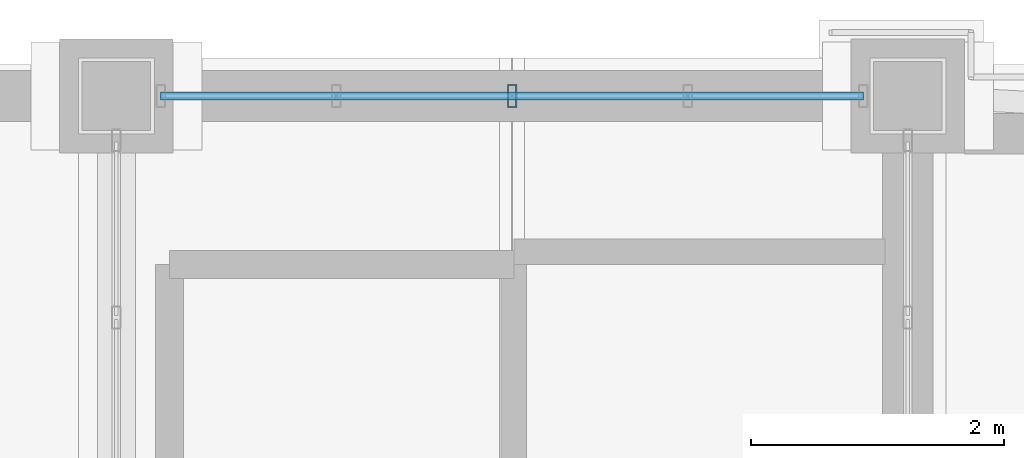
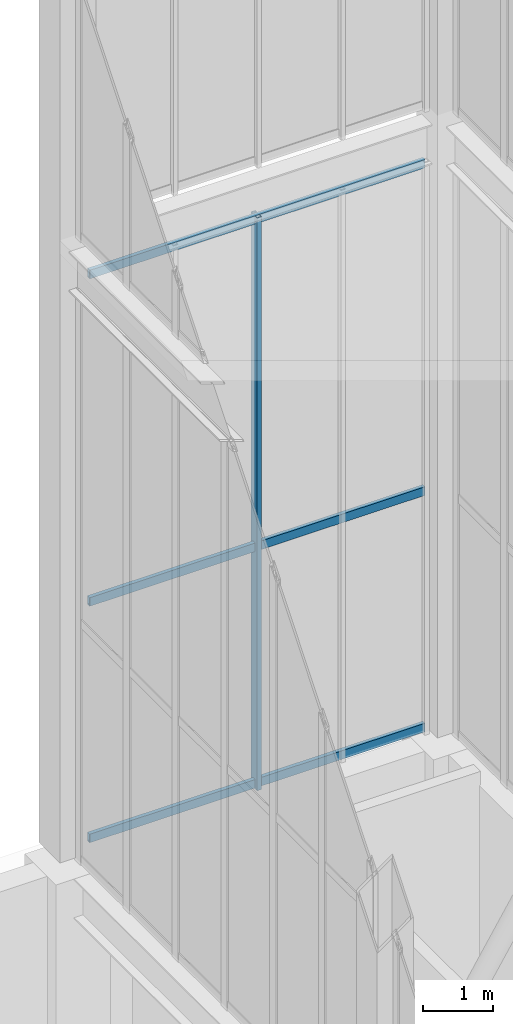
# One storey, part 111 of 135: 4 members, 1 element without a shape of its own.
"""IFC4 building model written with IfcOpenShell, lengths in metres."""

import ifcopenshell
import ifcopenshell.guid

model = None  # the IFC model being written
_history = None  # IfcOwnerHistory: only IFC2X3 demands one
_inside = {}  # id of a spatial element -> (the spatial element, [elements in it])
_under = {}  # id of a project, library or spatial element -> (it, [spatial elements below it])
_declared = {}  # id of a project -> (the project, [libraries it declares])
_typed = {}  # id of a type object -> (the type object, [elements of that type])
_made_of = {}  # id of a material, layer set ... -> (it, [elements and type objects made of it])


def new_model(schema):
    """Start an empty IFC model of exactly this schema.

    Asked for "IFC4X3", IfcOpenShell would pick the latest addendum, in which some entities
    have other attributes; the version numbers below select the first issue.
    IFC2X3 requires an IfcOwnerHistory on every rooted entity: one is made here for all.
    """
    global model, _history
    if schema == "IFC4X3":
        model = ifcopenshell.file(schema_version=(4, 3, 0, 0))
    else:
        model = ifcopenshell.file(schema=schema)
    _inside.clear()
    _under.clear()
    _declared.clear()
    _typed.clear()
    _made_of.clear()
    _history = None
    if model.schema == "IFC2X3":
        org = make("IfcOrganization", Name="unknown")
        user = make(
            "IfcPersonAndOrganization",
            ThePerson=make("IfcPerson", FamilyName="unknown"),
            TheOrganization=org,
        )
        app = make(
            "IfcApplication",
            ApplicationDeveloper=org,
            Version="unknown",
            ApplicationFullName="unknown",
            ApplicationIdentifier="unknown",
        )
        _history = make(
            "IfcOwnerHistory",
            OwningUser=user,
            OwningApplication=app,
            ChangeAction="ADDED",
            CreationDate=0,
        )
    return model


def make(cls, **values):
    """One entity of the class cls with the attributes given. An attribute that is None is left unset."""
    return model.create_entity(
        cls, **{name: value for name, value in values.items() if value is not None}
    )


def rooted(cls, **values):
    """An entity with a GlobalId (a new one), such as an element, a storey or a relation."""
    return make(cls, GlobalId=ifcopenshell.guid.new(), OwnerHistory=_history, **values)


def si_unit(unit_type, name, prefix=None):
    """IfcSIUnit, for example si_unit("LENGTHUNIT", "METRE", prefix="MILLI")."""
    return make("IfcSIUnit", UnitType=unit_type, Prefix=prefix, Name=name)


def assignment(units):
    """IfcUnitAssignment: the units of a project."""
    return None if units is None else make("IfcUnitAssignment", Units=units)


def point(xyz):
    """IfcCartesianPoint."""
    return None if xyz is None else make("IfcCartesianPoint", Coordinates=xyz)


def direction(xyz):
    """IfcDirection."""
    return None if xyz is None else make("IfcDirection", DirectionRatios=xyz)


def frame(location, z_axis=None, x_axis=None):
    """IfcAxis2Placement3D, a coordinate frame: its origin and axes. An axis left out is left unset."""
    return make(
        "IfcAxis2Placement3D",
        Location=point(location),
        Axis=direction(z_axis),
        RefDirection=direction(x_axis),
    )


def frame_2d(location, x_axis=None):
    """IfcAxis2Placement2D, a coordinate frame in the plane: its origin and x axis."""
    return make(
        "IfcAxis2Placement2D", Location=point(location), RefDirection=direction(x_axis)
    )


def origin():
    """The frame at (0, 0, 0) with its axes left unset."""
    return frame((0.0, 0.0, 0.0))


def origin_2d():
    """The frame at (0, 0) in the plane with its x axis left unset."""
    return frame_2d((0.0, 0.0))


def place(relative_to, where):
    """IfcLocalPlacement: puts the frame where relative to a parent placement (None: the world)."""
    return make(
        "IfcLocalPlacement", PlacementRelTo=relative_to, RelativePlacement=where
    )


def context(
    kind, dimensions, precision=None, world=None, true_north=None, identifier=None
):
    """IfcGeometricRepresentationContext, for example the 3D "Model" context."""
    return make(
        "IfcGeometricRepresentationContext",
        ContextIdentifier=identifier,
        ContextType=kind,
        CoordinateSpaceDimension=dimensions,
        Precision=precision,
        WorldCoordinateSystem=world,
        TrueNorth=true_north,
    )


def subcontext(parent, identifier, kind, view, scale=None):
    """IfcGeometricRepresentationSubContext, for example "Body" below "Model"."""
    return make(
        "IfcGeometricRepresentationSubContext",
        ContextIdentifier=identifier,
        ContextType=kind,
        ParentContext=parent,
        TargetScale=scale,
        TargetView=view,
    )


def project(units=None, contexts=None):
    """IfcProject with its units and contexts."""
    return rooted(
        "IfcProject",
        Name="project",
        RepresentationContexts=contexts,
        UnitsInContext=assignment(units),
    )


def spatial(cls, under=None, at=None, **own):
    """A site, building, storey or space (cls), placed at a placement, below another one or the project."""
    s = rooted(cls, ObjectPlacement=at, **own)
    if under is not None:
        _under.setdefault(under.id(), (under, []))[1].append(s)
    return s


def profile(cls, at=None, kind="AREA", **sizes):
    """A parametric profile (cls). Its sizes go by their IFC names, for example OverallWidth=200.0."""
    return make(cls, ProfileType=kind, Position=at, **sizes)


def hollow_rectangle(**sizes):
    """IfcRectangleHollowProfileDef."""
    return profile("IfcRectangleHollowProfileDef", **sizes)


def extrude(swept, where, along, depth):
    """IfcExtrudedAreaSolid: the profile swept, set in the frame where, extruded along a direction by depth."""
    return make(
        "IfcExtrudedAreaSolid",
        SweptArea=swept,
        Position=where,
        ExtrudedDirection=direction(along),
        Depth=depth,
    )


def shape(context_of_items, identifier, shape_type, items):
    """IfcShapeRepresentation: the items that make up one representation, for example the "Body"."""
    return make(
        "IfcShapeRepresentation",
        ContextOfItems=context_of_items,
        RepresentationIdentifier=identifier,
        RepresentationType=shape_type,
        Items=items,
    )


def source(mapping_origin, context_of_items, identifier, shape_type, items):
    """IfcRepresentationMap: a shape defined once, which mapped items show again and again."""
    return make(
        "IfcRepresentationMap",
        MappingOrigin=mapping_origin,
        MappedRepresentation=shape(context_of_items, identifier, shape_type, items),
    )


def transform(
    local_origin,
    x_axis=None,
    y_axis=None,
    z_axis=None,
    scale=None,
    scale2=None,
    scale3=None,
    uniform=True,
):
    """IfcCartesianTransformationOperator3D, or its non-uniform kind. x_axis, y_axis, z_axis: its Axis1, 2, 3."""
    if uniform:
        return make(
            "IfcCartesianTransformationOperator3D",
            Axis1=direction(x_axis),
            Axis2=direction(y_axis),
            LocalOrigin=point(local_origin),
            Scale=scale,
            Axis3=direction(z_axis),
        )
    return make(
        "IfcCartesianTransformationOperator3DnonUniform",
        Axis1=direction(x_axis),
        Axis2=direction(y_axis),
        LocalOrigin=point(local_origin),
        Scale=scale,
        Axis3=direction(z_axis),
        Scale2=scale2,
        Scale3=scale3,
    )


def mapped(mapping_source, mapping_target):
    """IfcMappedItem: shows the shape of a source again, moved by a transform."""
    return make(
        "IfcMappedItem", MappingSource=mapping_source, MappingTarget=mapping_target
    )


def material(Name=None, Category=None):
    """IfcMaterial."""
    return make("IfcMaterial", Name=Name, Category=Category)


def layer(
    of_material, thickness, ventilated=None, Name=None, Category=None, Priority=None
):
    """IfcMaterialLayer: one layer of a wall or slab, of a material (None: an air gap)."""
    return make(
        "IfcMaterialLayer",
        Material=of_material,
        LayerThickness=thickness,
        IsVentilated=ventilated,
        Name=Name,
        Category=Category,
        Priority=Priority,
    )


def layer_set(layers, Name=None):
    """IfcMaterialLayerSet."""
    return make("IfcMaterialLayerSet", MaterialLayers=layers, LayerSetName=Name)


def material_profile(
    of_material, cross_section, Name=None, Category=None, Priority=None
):
    """IfcMaterialProfile: a cross section and its material."""
    return make(
        "IfcMaterialProfile",
        Name=Name,
        Material=of_material,
        Profile=cross_section,
        Priority=Priority,
        Category=Category,
    )


def profile_set(profiles, Name=None, composite=None):
    """IfcMaterialProfileSet."""
    return make(
        "IfcMaterialProfileSet",
        Name=Name,
        MaterialProfiles=profiles,
        CompositeProfile=composite,
    )


def made_of(thing, what):
    """Note that an element or type object is made of a material, layer set ...; save() writes the relation."""
    if what is not None:
        _made_of.setdefault(what.id(), (what, []))[1].append(thing)
    return thing


def type_object(cls, material=None, **own):
    """A type object (cls), such as IfcWallType, which elements share."""
    return made_of(rooted(cls, **own), material)


def element(
    cls,
    number,
    at=None,
    inside=None,
    cuts=None,
    type_object=None,
    material=None,
    context=None,
    identifier="Body",
    shape_type=None,
    held_by="IfcProductDefinitionShape",
    body=None,
    shapes=None,
    **own,
):
    """One element of the class cls, such as IfcWall. Its Tag is "e" and its number.

    at: its placement. inside: the storey or other place that contains it. cuts: it is an
    opening in that element (IfcRelVoidsElement). A single representation is given by context,
    identifier, shape_type and body (its items); several are given by shapes. held_by: the class
    of the entity that holds the representations. save() writes the other relations.
    """
    e = rooted(cls, Tag="e%d" % number, ObjectPlacement=at, **own)
    if body is not None:
        shapes = [shape(context, identifier, shape_type, body)]
    if shapes is not None:
        e.Representation = make(held_by, Representations=shapes)
    if inside is not None:
        _inside.setdefault(inside.id(), (inside, []))[1].append(e)
    if cuts is not None:
        rooted(
            "IfcRelVoidsElement", RelatingBuildingElement=cuts, RelatedOpeningElement=e
        )
    if type_object is not None:
        _typed.setdefault(type_object.id(), (type_object, []))[1].append(e)
    return made_of(e, material)


def aggregate(whole, parts):
    """IfcRelAggregates: a whole, such as a stair, and the parts it consists of."""
    return rooted("IfcRelAggregates", RelatingObject=whole, RelatedObjects=parts)


def save(model, path):
    """Write the relations noted so far, then the file.

    IfcRelAggregates (storeys below a building ...), IfcRelContainedInSpatialStructure (elements
    in a storey), IfcRelDefinesByType, IfcRelAssociatesMaterial and IfcRelDeclares: one each for
    every whole, place, type object, material and project.
    """
    for whole, parts in _under.values():
        aggregate(whole, parts)
    for where, things in _inside.values():
        rooted(
            "IfcRelContainedInSpatialStructure",
            RelatedElements=things,
            RelatingStructure=where,
        )
    for kind, things in _typed.values():
        rooted("IfcRelDefinesByType", RelatedObjects=things, RelatingType=kind)
    for what, things in _made_of.values():
        rooted("IfcRelAssociatesMaterial", RelatedObjects=things, RelatingMaterial=what)
    for by, libraries in _declared.values():
        rooted("IfcRelDeclares", RelatingContext=by, RelatedDefinitions=libraries)
    model.write(path)


model = new_model("IFC4")

# Units and contexts
model_context = context("Model", 3, precision=1e-05, world=origin(), true_north=direction((0.0, 1.0)))
body_context = subcontext(model_context, "Body", "Model", "MODEL_VIEW")
ifc_project = project(units=[si_unit("LENGTHUNIT", "METRE"), si_unit("AREAUNIT", "SQUARE_METRE"), si_unit("VOLUMEUNIT", "CUBIC_METRE"), si_unit("PLANEANGLEUNIT", "RADIAN"), si_unit("MASSUNIT", "GRAM", prefix="KILO")], contexts=[model_context])

# Site, building, storey
site_placement = place(None, origin())
site = spatial("IfcSite", under=ifc_project, at=site_placement, CompositionType="ELEMENT")
building_placement = place(site_placement, origin())
building = spatial("IfcBuilding", under=site, at=building_placement, Name="Giltprow Tower", CompositionType="ELEMENT")
storey_placement = place(building_placement, frame((0.0, 0.0, 352.699951171875)))
storey = spatial("IfcBuildingStorey", under=building, at=storey_placement, Name="L92", CompositionType="ELEMENT", Elevation=352.699951171875)

# Curtain wall, members
ifc_material = material(Name="Anodized bronze", Category="metal")
ifc_layer = layer(ifc_material, 0.179931640625, Name="Anodized bronze")
ifc_layer_set = layer_set([ifc_layer], Name="Anodized bronze")
curtain_wall_type = type_object("IfcCurtainWallType", Name="CW-CROWN-LANTERN", PredefinedType="NOTDEFINED", material=ifc_layer_set)
curtain_wall_placement = place(storey_placement, origin())
curtain_wall = element("IfcCurtainWall", 1, at=curtain_wall_placement, inside=storey, type_object=curtain_wall_type, Name="Crown East Lower Lantern Glazing 4", PredefinedType="NOTDEFINED")
ifc_material_profile_1 = material_profile(ifc_material, hollow_rectangle(XDim=0.074951171875, YDim=0.179931640625, WallThickness=0.008056640625, at=origin_2d()), Name="RHS 180x75x8")
ifc_profile_set_1 = profile_set([ifc_material_profile_1], Name="Anodized bronze")
member_type_1 = type_object("IfcMemberType", Name="CW-MULLION-180x75", PredefinedType="MULLION", material=ifc_profile_set_1)
shared_shape_1 = source(origin(), body_context, "Body", "SweptSolid", [
    extrude(hollow_rectangle(XDim=0.074951171875, YDim=0.179931640625, WallThickness=0.008056640625, at=origin_2d()), origin(), (0.0, 0.0, 1.0), 10.030029296875),
])
member_1_placement = place(storey_placement, frame((47.425048828125, 46.550048828125, 6.35009765625), z_axis=(0.0, 0.0, 1.0), x_axis=(1.0, 0.0, 0.0)))
member_1 = element("IfcMember", 2, at=member_1_placement, type_object=member_type_1, Name="Crown East Lower Lantern Glazing 4 Mullion 3", PredefinedType="MULLION", context=body_context, shape_type="MappedRepresentation", body=[
    mapped(shared_shape_1, transform((0.0, 0.0, 0.0), x_axis=(1.0, 0.0, 0.0), y_axis=(0.0, 1.0, 0.0), z_axis=(0.0, 0.0, 1.0), scale=1.0)),
])
ifc_material_profile_2 = material_profile(ifc_material, hollow_rectangle(XDim=0.06494140625, YDim=0.14990234375, WallThickness=0.006103515625, at=origin_2d()), Name="RHS 150x65x6")
ifc_profile_set_2 = profile_set([ifc_material_profile_2], Name="Anodized bronze")
member_type_2 = type_object("IfcMemberType", Name="CW-TRANSOM-150x65", PredefinedType="USERDEFINED", material=ifc_profile_set_2)
shared_shape_2 = source(origin(), body_context, "Body", "SweptSolid", [
    extrude(hollow_rectangle(XDim=0.06494140625, YDim=0.14990234375, WallThickness=0.006103515625, at=origin_2d()), origin(), (0.0, 0.0, 1.0), 5.550048828125),
])
member_2_placement = place(storey_placement, frame((50.199951171875, 46.550048828125, 6.43994140625), z_axis=(-1.0, 0.0, 0.0), x_axis=(0.0, -1.0, 0.0)))
member_2 = element("IfcMember", 3, at=member_2_placement, type_object=member_type_2, Name="Crown East Lower Lantern Glazing 4 Transom 1", ObjectType="TRANSOM", PredefinedType="USERDEFINED", context=body_context, shape_type="MappedRepresentation", body=[
    mapped(shared_shape_2, transform((0.0, 0.0, 0.0), x_axis=(1.0, 0.0, 0.0), y_axis=(0.0, 1.0, 0.0), z_axis=(0.0, 0.0, 1.0), scale=1.0)),
])
member_3_placement = place(storey_placement, frame((50.199951171875, 46.550048828125, 10.5791015625), z_axis=(-1.0, 0.0, 0.0), x_axis=(0.0, -1.0, 0.0)))
member_3 = element("IfcMember", 4, at=member_3_placement, type_object=member_type_2, Name="Crown East Lower Lantern Glazing 4 Transom 2", ObjectType="TRANSOM", PredefinedType="USERDEFINED", context=body_context, shape_type="MappedRepresentation", body=[
    mapped(shared_shape_2, transform((0.0, 0.0, 0.0), x_axis=(1.0, 0.0, 0.0), y_axis=(0.0, 1.0, 0.0), z_axis=(0.0, 0.0, 1.0), scale=1.0)),
])
member_4_placement = place(storey_placement, frame((50.199951171875, 46.550048828125, 16.31005859375), z_axis=(-1.0, 0.0, 0.0), x_axis=(0.0, -1.0, 0.0)))
member_4 = element("IfcMember", 5, at=member_4_placement, type_object=member_type_2, Name="Crown East Lower Lantern Glazing 4 Transom 3", ObjectType="TRANSOM", PredefinedType="USERDEFINED", context=body_context, shape_type="MappedRepresentation", body=[
    mapped(shared_shape_2, transform((0.0, 0.0, 0.0), x_axis=(1.0, 0.0, 0.0), y_axis=(0.0, 1.0, 0.0), z_axis=(0.0, 0.0, 1.0), scale=1.0)),
])
aggregate(curtain_wall, [member_1, member_2, member_3, member_4])

save(model, "model.ifc")
